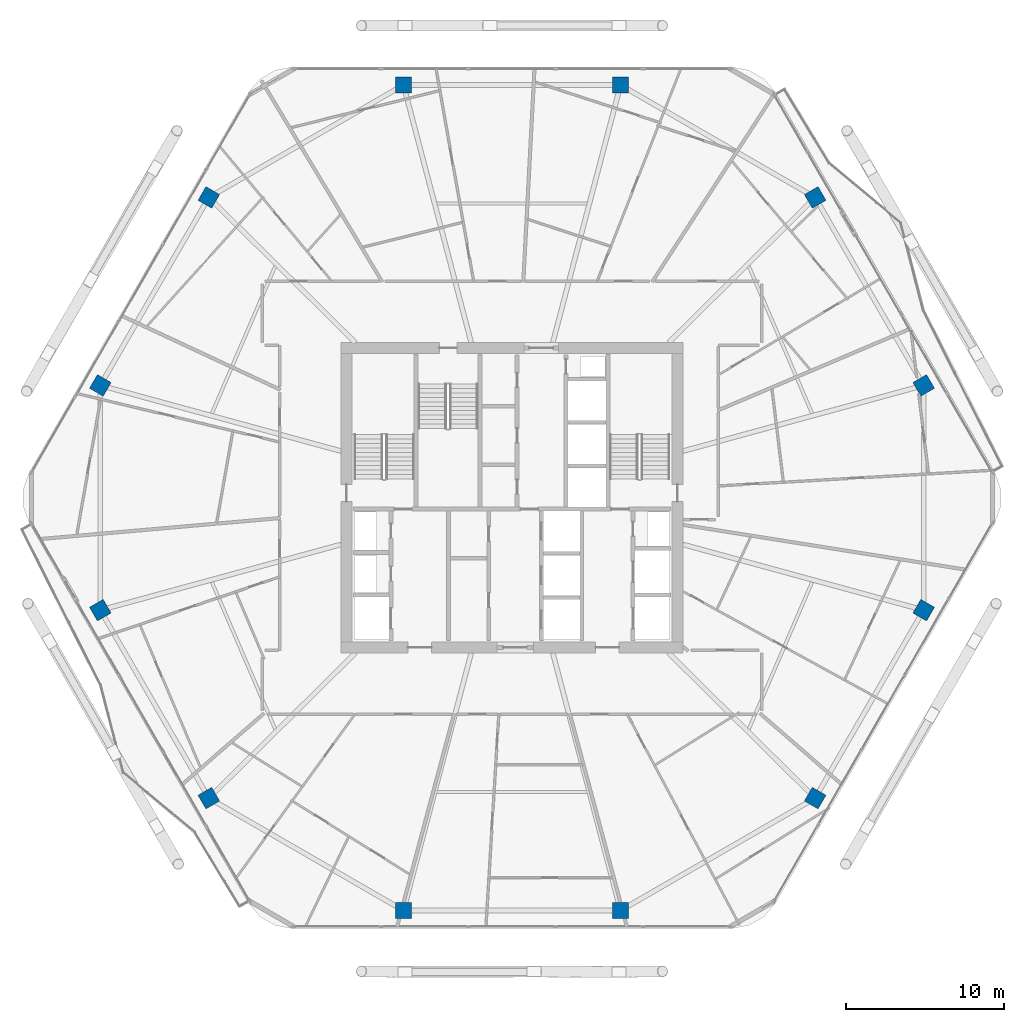
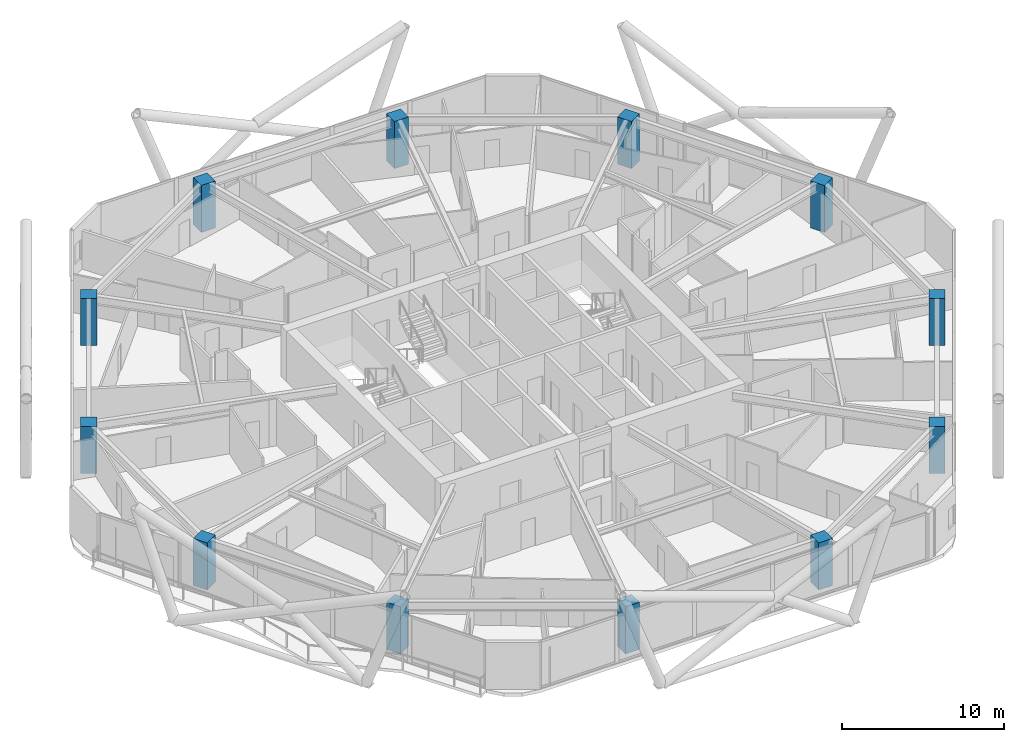
# One storey, part 1 of 28: 12 columns.
"""IFC4 building model written with IfcOpenShell, lengths in metres."""

from ifc_helpers import new_model, si_unit, direction, frame, origin, origin_2d, place, context, subcontext, project, spatial, rectangle, extrude, material, material_profile, profile_set, type_object, element, save


model = new_model("IFC4")

# Units and contexts
model_context = context("Model", 3, precision=1e-05, world=origin(), true_north=direction((0.0, 1.0)))
body_context = subcontext(model_context, "Body", "Model", "MODEL_VIEW")
ifc_project = project(units=[si_unit("LENGTHUNIT", "METRE"), si_unit("AREAUNIT", "SQUARE_METRE"), si_unit("VOLUMEUNIT", "CUBIC_METRE"), si_unit("PLANEANGLEUNIT", "RADIAN"), si_unit("MASSUNIT", "GRAM", prefix="KILO")], contexts=[model_context])

# Site, building, storey
site_placement = place(None, origin())
site = spatial("IfcSite", under=ifc_project, at=site_placement, CompositionType="ELEMENT")
building_placement = place(site_placement, origin())
building = spatial("IfcBuilding", under=site, at=building_placement, Name="Zuhravey Tower", CompositionType="ELEMENT")
storey_placement = place(building_placement, frame((0.0, 0.0, 169.39990234375)))
storey = spatial("IfcBuildingStorey", under=building, at=storey_placement, Name="L42", CompositionType="ELEMENT", Elevation=169.39990234375)

# Columns
ifc_material = material(Name="Concrete C60/75", Category="concrete")
ifc_material_profile = material_profile(ifc_material, rectangle(XDim=1.0, YDim=1.0, at=origin_2d()), Name="RC-1000x1000")
ifc_profile_set = profile_set([ifc_material_profile], Name="Concrete C60/75")
column_type = type_object("IfcColumnType", Name="Zone 2 Perimeter Column 1000x1000", PredefinedType="COLUMN", material=ifc_profile_set)
for number, where, z_axis, x_axis, name in (
    (1, (62.107666015625, 39.12646484375, 0.0), (0.0, 0.0, 1.0), (-0.5, 0.866025403784, 0.0), "L42 Perimeter Column PC01"),
    (2, (55.2255859375, 51.046630859375, 0.0), (0.0, 0.0, 1.0), (-0.5, 0.866025403784, 0.0), "L42 Perimeter Column PC02"),
    (3, (42.882080078125, 58.173095703125, 0.0), (0.0, 0.0, 1.0), (-1.0, 0.0, 0.0), "L42 Perimeter Column PC03"),
    (4, (29.117919921875, 58.173095703125, 0.0), (0.0, 0.0, 1.0), (-1.0, 0.0, 0.0), "L42 Perimeter Column PC04"),
    (5, (16.7744140625, 51.046630859375, 0.0), (0.0, 0.0, 1.0), (-0.5, -0.866025403784, 0.0), "L42 Perimeter Column PC05"),
    (6, (9.892333984375, 39.12646484375, 0.0), (0.0, 0.0, 1.0), (-0.5, -0.866025403784, 0.0), "L42 Perimeter Column PC06"),
    (7, (9.892333984375, 24.87353515625, 0.0), (0.0, 0.0, 1.0), (0.5, -0.866025403784, 0.0), "L42 Perimeter Column PC07"),
    (8, (16.7744140625, 12.953369140625, 0.0), (0.0, 0.0, 1.0), (0.5, -0.866025403784, 0.0), "L42 Perimeter Column PC08"),
    (9, (29.117919921875, 5.826904296875, 0.0), (0.0, 0.0, 1.0), (1.0, 0.0, 0.0), "L42 Perimeter Column PC09"),
    (10, (42.882080078125, 5.826904296875, 0.0), (0.0, 0.0, 1.0), (1.0, 0.0, 0.0), "L42 Perimeter Column PC10"),
    (11, (55.2255859375, 12.953369140625, 0.0), (0.0, 0.0, 1.0), (0.5, 0.866025403784, 0.0), "L42 Perimeter Column PC11"),
    (12, (62.107666015625, 24.87353515625, 0.0), (0.0, 0.0, 1.0), (0.5, 0.866025403784, 0.0), "L42 Perimeter Column PC12"),
):
    element("IfcColumn", number, at=place(storey_placement, frame(where, z_axis=z_axis, x_axis=x_axis)), inside=storey, type_object=column_type, Name=name, PredefinedType="COLUMN", context=body_context, shape_type="SweptSolid", body=[
        extrude(rectangle(XDim=1.0, YDim=1.0, at=origin_2d()), origin(), (0.0, 0.0, 1.0), 3.550048828125),
    ])

save(model, "model.ifc")
